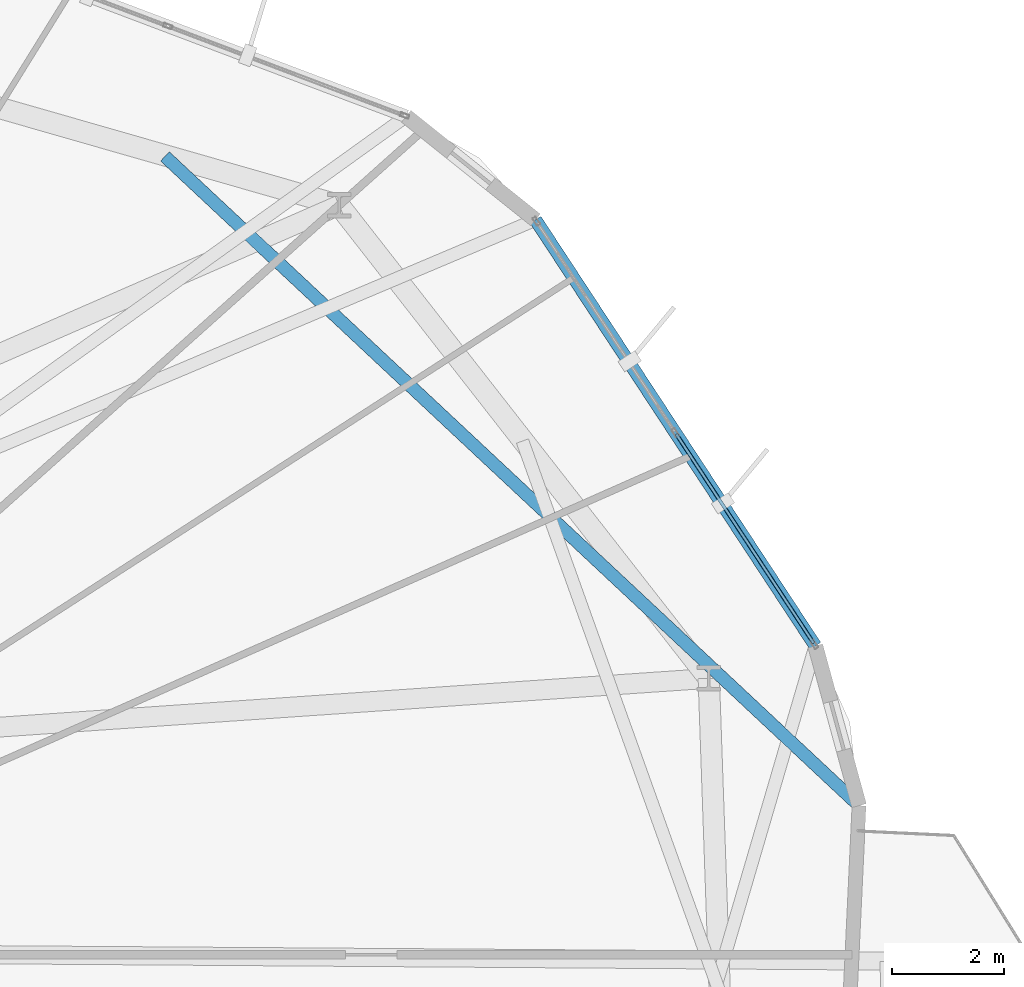
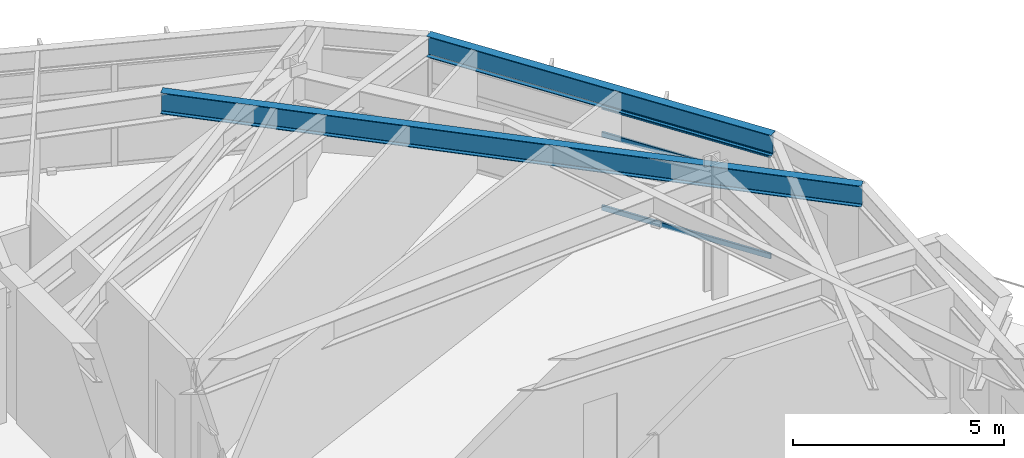
# One storey, part 13 of 25: 3 members, 2 beams, 1 element without a shape of its own.
"""IFC4 building model written with IfcOpenShell, lengths in metres."""

from ifc_helpers import new_model, si_unit, direction, frame, origin, origin_2d, place, context, subcontext, project, spatial, hollow_rectangle, i_section, extrude, material, layer, layer_set, material_profile, profile_set, type_object, element, aggregate, save


model = new_model("IFC4")

# Units and contexts
model_context = context("Model", 3, precision=1e-05, world=origin(), true_north=direction((0.0, 1.0)))
body_context = subcontext(model_context, "Body", "Model", "MODEL_VIEW")
ifc_project = project(units=[si_unit("LENGTHUNIT", "METRE"), si_unit("AREAUNIT", "SQUARE_METRE"), si_unit("VOLUMEUNIT", "CUBIC_METRE"), si_unit("PLANEANGLEUNIT", "RADIAN"), si_unit("MASSUNIT", "GRAM", prefix="KILO")], contexts=[model_context])

# Site, building, storey
site_placement = place(None, origin())
site = spatial("IfcSite", under=ifc_project, at=site_placement, CompositionType="ELEMENT")
building_placement = place(site_placement, origin())
building = spatial("IfcBuilding", under=site, at=building_placement, Name="Soratama Intermodal Tower", CompositionType="ELEMENT")
storey_placement = place(building_placement, frame((0.0, 0.0, 87.39990234375)))
storey = spatial("IfcBuildingStorey", under=building, at=storey_placement, Name="L20", CompositionType="ELEMENT", Elevation=87.39990234375)

# Beams
ifc_material_1 = material(Name="Structural steel ASTM A992 Grade 50", Category="steel")
ifc_material_profile_1 = material_profile(ifc_material_1, i_section(OverallWidth=0.22900390625, OverallDepth=0.612060546875, WebThickness=0.011962890625, FlangeThickness=0.01953125, FilletRadius=0.012939453125, at=origin_2d()), Name="W24X84")
ifc_profile_set_1 = profile_set([ifc_material_profile_1], Name="Structural steel ASTM A992 Grade 50")
beam_type_1 = type_object("IfcBeamType", Name="BM-SPN-W24X84", PredefinedType="SPANDREL", material=ifc_profile_set_1)
beam_1_placement = place(storey_placement, frame((63.260009765625, 31.532958984375, 3.294189453125), z_axis=(-0.548966563149, 0.835844311187, 0.0), x_axis=(-0.835844311187, -0.548966563149, 0.0)))
element("IfcBeam", 1, at=beam_1_placement, inside=storey, type_object=beam_type_1, Name="BS-L20-F01", PredefinedType="SPANDREL", context=body_context, shape_type="SweptSolid", body=[
    extrude(i_section(OverallWidth=0.22900390625, OverallDepth=0.612060546875, WebThickness=0.011962890625, FlangeThickness=0.01953125, FilletRadius=0.012939453125, at=origin_2d()), origin(), (0.0, 0.0, 1.0), 9.1298828125),
])
ifc_material_2 = material(Name="Structural steel ASTM A992 Grade 50", Category="steel")
ifc_material_profile_2 = material_profile(ifc_material_2, i_section(OverallWidth=0.22900390625, OverallDepth=0.612060546875, WebThickness=0.011962890625, FlangeThickness=0.01953125, FilletRadius=0.012939453125, at=origin_2d()), Name="W24X84")
ifc_profile_set_2 = profile_set([ifc_material_profile_2], Name="Structural steel ASTM A992 Grade 50")
beam_type_2 = type_object("IfcBeamType", Name="BM-TIE-W24X84", PredefinedType="BEAM", material=ifc_profile_set_2)
beam_2_placement = place(storey_placement, frame((51.610107421875, 40.301025390625, 3.294189453125), z_axis=(0.730325186746, -0.683099642515, 0.0), x_axis=(0.683099642515, 0.730325186746, 0.0)))
element("IfcBeam", 2, at=beam_2_placement, inside=storey, type_object=beam_type_2, Name="BM-L20-TIE1-10", PredefinedType="BEAM", context=body_context, shape_type="SweptSolid", body=[
    extrude(i_section(OverallWidth=0.22900390625, OverallDepth=0.612060546875, WebThickness=0.011962890625, FlangeThickness=0.01953125, FilletRadius=0.012939453125, at=origin_2d()), origin(), (0.0, 0.0, 1.0), 17.023681640625),
])

# Curtain wall, members
ifc_material_3 = material(Name="Double-glazed aluminium curtain wall", Category="aluminium")
ifc_layer = layer(ifc_material_3, 0.159912109375)
ifc_layer_set = layer_set([ifc_layer], Name="Double-glazed aluminium curtain wall")
curtain_wall_type = type_object("IfcCurtainWallType", Name="CW-SYS-3", PredefinedType="NOTDEFINED", material=ifc_layer_set)
curtain_wall_placement = place(storey_placement, origin())
curtain_wall = element("IfcCurtainWall", 3, at=curtain_wall_placement, inside=storey, type_object=curtain_wall_type, Name="L20 Faceted Curtain Wall F01", PredefinedType="NOTDEFINED")
ifc_material_4 = material(Name="Anodised aluminium AA 6063-T6", Category="aluminium")
ifc_material_profile_3 = material_profile(ifc_material_4, hollow_rectangle(XDim=0.06494140625, YDim=0.14990234375, WallThickness=0.0048828125, InnerFilletRadius=0.0048828125, OuterFilletRadius=0.010009765625, at=origin_2d()), Name="CWT150X65X5")
ifc_profile_set_3 = profile_set([ifc_material_profile_3], Name="Anodised aluminium AA 6063-T6")
member_type = type_object("IfcMemberType", Name="TT-CWT-1", PredefinedType="USERDEFINED", material=ifc_profile_set_3)
member_1_placement = place(storey_placement, frame((63.227294921875, 31.583251953125, 0.030029296875), z_axis=(-0.549009133832, 0.835816350025, 0.0), x_axis=(-0.835816350025, -0.549009133832, 0.0)))
member_1 = element("IfcMember", 4, at=member_1_placement, type_object=member_type, Name="CW-3 transom 1.1", ObjectType="TRANSOM", PredefinedType="USERDEFINED", context=body_context, shape_type="SweptSolid", body=[
    extrude(hollow_rectangle(XDim=0.06494140625, YDim=0.14990234375, WallThickness=0.0048828125, InnerFilletRadius=0.0048828125, OuterFilletRadius=0.010009765625, at=origin_2d()), origin(), (0.0, 0.0, 1.0), 4.474853515625),
])
member_2_placement = place(storey_placement, frame((63.227294921875, 31.583251953125, 2.150146484375), z_axis=(-0.549009133832, 0.835816350025, 0.0), x_axis=(-0.835816350025, -0.549009133832, 0.0)))
member_2 = element("IfcMember", 5, at=member_2_placement, type_object=member_type, Name="CW-3 transom 1.2", ObjectType="TRANSOM", PredefinedType="USERDEFINED", context=body_context, shape_type="SweptSolid", body=[
    extrude(hollow_rectangle(XDim=0.06494140625, YDim=0.14990234375, WallThickness=0.0048828125, InnerFilletRadius=0.0048828125, OuterFilletRadius=0.010009765625, at=origin_2d()), origin(), (0.0, 0.0, 1.0), 4.474853515625),
])
member_3_placement = place(storey_placement, frame((63.227294921875, 31.583251953125, 2.94921875), z_axis=(-0.549009133832, 0.835816350025, 0.0), x_axis=(-0.835816350025, -0.549009133832, 0.0)))
member_3 = element("IfcMember", 6, at=member_3_placement, type_object=member_type, Name="CW-3 transom 1.3", ObjectType="TRANSOM", PredefinedType="USERDEFINED", context=body_context, shape_type="SweptSolid", body=[
    extrude(hollow_rectangle(XDim=0.06494140625, YDim=0.14990234375, WallThickness=0.0048828125, InnerFilletRadius=0.0048828125, OuterFilletRadius=0.010009765625, at=origin_2d()), origin(), (0.0, 0.0, 1.0), 4.474853515625),
])
aggregate(curtain_wall, [member_1, member_2, member_3])

save(model, "model.ifc")
